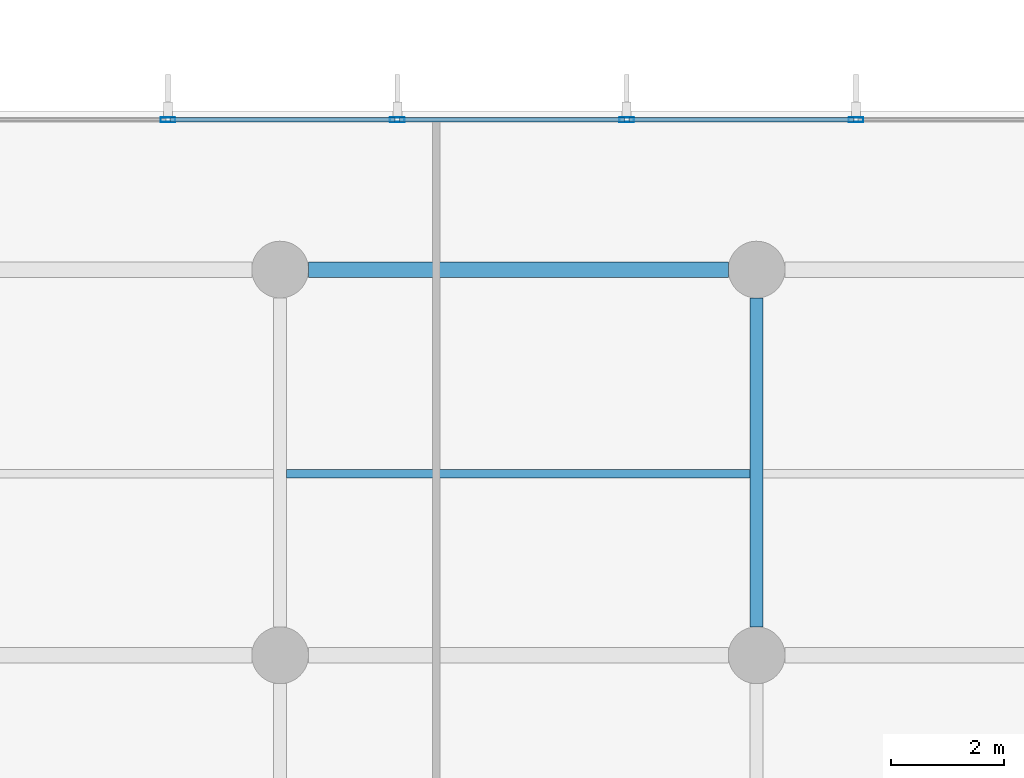
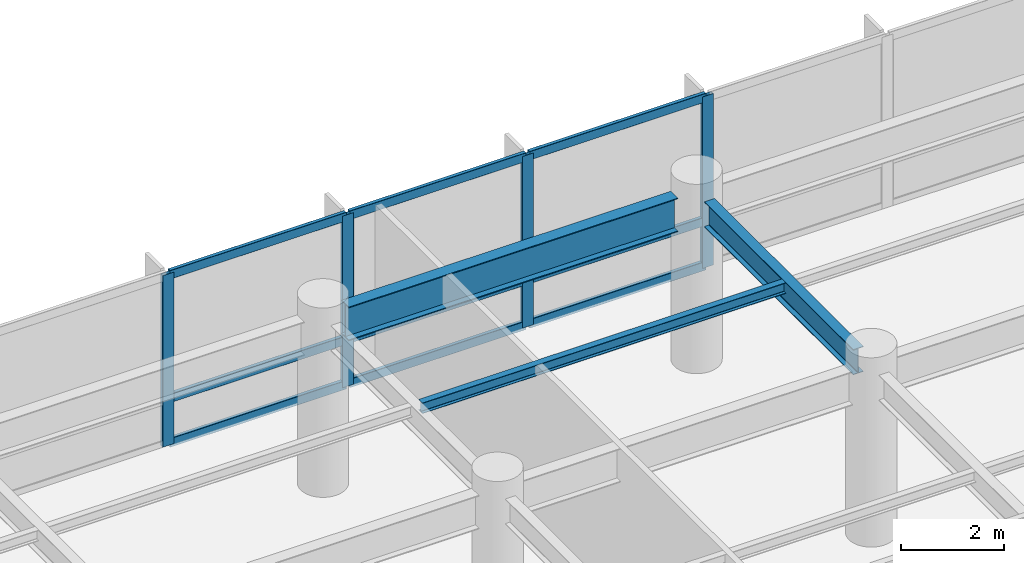
# One storey, part 11 of 23: 13 members, 3 beams, 1 element without a shape of its own.
"""IFC4 building model written with IfcOpenShell, lengths in metres."""

from ifc_helpers import new_model, si_unit, direction, frame, origin, origin_2d, place, context, subcontext, project, spatial, hollow_rectangle, i_section, extrude, material, layer, layer_set, material_profile, profile_set, type_object, element, aggregate, save


model = new_model("IFC4")

# Units and contexts
model_context = context("Model", 3, precision=1e-05, world=origin(), true_north=direction((0.0, 1.0)))
body_context = subcontext(model_context, "Body", "Model", "MODEL_VIEW")
ifc_project = project(units=[si_unit("LENGTHUNIT", "METRE"), si_unit("AREAUNIT", "SQUARE_METRE"), si_unit("VOLUMEUNIT", "CUBIC_METRE"), si_unit("PLANEANGLEUNIT", "RADIAN"), si_unit("MASSUNIT", "GRAM", prefix="KILO")], contexts=[model_context])

# Site, building, storey
site_placement = place(None, origin())
site = spatial("IfcSite", under=ifc_project, at=site_placement, CompositionType="ELEMENT")
building_placement = place(site_placement, origin())
building = spatial("IfcBuilding", under=site, at=building_placement, Name="Varnakote Quay Hospital", CompositionType="ELEMENT")
storey_placement = place(building_placement, frame((0.0, 0.0, 18.0)))
storey = spatial("IfcBuildingStorey", under=building, at=storey_placement, Name="L04", CompositionType="ELEMENT", Elevation=18.0)

# Beams
ifc_material_1 = material(Name="Structural steel AS/NZS 3679.1 Grade 350 L0 (fy 340 MPa)", Category="steel")
ifc_material_profile_1 = material_profile(ifc_material_1, i_section(OverallWidth=0.22802734375, OverallDepth=0.60205078125, WebThickness=0.010498046875, FlangeThickness=0.014892578125, FilletRadius=0.013916015625, at=origin_2d()), Name="610UB101")
ifc_profile_set_1 = profile_set([ifc_material_profile_1], Name="Structural steel AS/NZS 3679.1 Grade 350 L0 (fy 340 MPa)")
beam_type_1 = type_object("IfcBeamType", Name="BM-STL-610UB101", PredefinedType="BEAM", material=ifc_profile_set_1)
beam_1_placement = place(storey_placement, frame((75.60009765625, 37.699951171875, 3.779052734375), z_axis=(0.0, 1.0, 0.0), x_axis=(-1.0, 0.0, 0.0)))
element("IfcBeam", 1, at=beam_1_placement, inside=storey, type_object=beam_type_1, Name="L04 Primary Tie Beam", PredefinedType="BEAM", context=body_context, shape_type="SweptSolid", body=[
    extrude(i_section(OverallWidth=0.22802734375, OverallDepth=0.60205078125, WebThickness=0.010498046875, FlangeThickness=0.014892578125, FilletRadius=0.013916015625, at=origin_2d()), origin(), (0.0, 0.0, 1.0), 5.800048828125),
])
ifc_material_2 = material(Name="Structural steel AS/NZS 3678 Grade 350 (fy 340 MPa)", Category="steel")
ifc_material_profile_2 = material_profile(ifc_material_2, i_section(OverallWidth=0.27490234375, OverallDepth=0.800048828125, WebThickness=0.010009765625, FlangeThickness=0.02001953125, at=origin_2d()), Name="800WB146")
ifc_profile_set_2 = profile_set([ifc_material_profile_2], Name="Structural steel AS/NZS 3678 Grade 350 (fy 340 MPa)")
beam_type_2 = type_object("IfcBeamType", Name="BM-STL-800WB146", PredefinedType="BEAM", material=ifc_profile_set_2)
beam_2_placement = place(storey_placement, frame((67.699951171875, 44.0, 3.679931640625), z_axis=(1.0, 0.0, 0.0), x_axis=(0.0, 1.0, 0.0)))
element("IfcBeam", 2, at=beam_2_placement, inside=storey, type_object=beam_type_2, Name="L04 Plated Composite Transfer Beam", PredefinedType="BEAM", context=body_context, shape_type="SweptSolid", body=[
    extrude(i_section(OverallWidth=0.27490234375, OverallDepth=0.800048828125, WebThickness=0.010009765625, FlangeThickness=0.02001953125, at=origin_2d()), origin(), (0.0, 0.0, 1.0), 7.400146484375),
])

# Curtain wall, members
ifc_material_3 = material(Name="Anodised aluminium 6063-T6 Bronze", Category="aluminium")
ifc_layer = layer(ifc_material_3, 0.175048828125)
ifc_layer_set = layer_set([ifc_layer], Name="Anodised aluminium 6063-T6 Bronze")
curtain_wall_type = type_object("IfcCurtainWallType", Name="CW-SYS-1", PredefinedType="NOTDEFINED", material=ifc_layer_set)
curtain_wall_placement = place(storey_placement, origin())
curtain_wall = element("IfcCurtainWall", 3, at=curtain_wall_placement, inside=storey, type_object=curtain_wall_type, Name="L04 Unitised Bronze Curtain Wall 2", PredefinedType="NOTDEFINED")
ifc_material_4 = material(Name="Anodised aluminium 6063-T6 Bronze", Category="aluminium")
ifc_material_profile_3 = material_profile(ifc_material_4, hollow_rectangle(XDim=0.0849609375, YDim=0.260009765625, WallThickness=0.0048828125, InnerFilletRadius=0.0048828125, OuterFilletRadius=0.010009765625, at=origin_2d()), Name="CW-MULL-260x85")
ifc_profile_set_3 = profile_set([ifc_material_profile_3], Name="Anodised aluminium 6063-T6 Bronze")
member_type_1 = type_object("IfcMemberType", Name="CW-MULL-260x85", PredefinedType="MULLION", material=ifc_profile_set_3)
member_1_placement = place(storey_placement, frame((77.35302734375, 46.639892578125, 0.0), z_axis=(0.0, 0.0, 1.0), x_axis=(0.0, -1.0, 0.0)))
member_1 = element("IfcMember", 4, at=member_1_placement, type_object=member_type_1, Name="-1-L04-2 mullion 3", PredefinedType="MULLION", context=body_context, shape_type="SweptSolid", body=[
    extrude(hollow_rectangle(XDim=0.0849609375, YDim=0.260009765625, WallThickness=0.0048828125, InnerFilletRadius=0.0048828125, OuterFilletRadius=0.010009765625, at=origin_2d()), origin(), (0.0, 0.0, 1.0), 4.080078125),
])
member_2_placement = place(storey_placement, frame((73.3095703125, 46.639892578125, 0.0), z_axis=(0.0, 0.0, 1.0), x_axis=(0.0, -1.0, 0.0)))
member_2 = element("IfcMember", 5, at=member_2_placement, type_object=member_type_1, Name="-1-L04-2 mullion 4", PredefinedType="MULLION", context=body_context, shape_type="SweptSolid", body=[
    extrude(hollow_rectangle(XDim=0.0849609375, YDim=0.260009765625, WallThickness=0.0048828125, InnerFilletRadius=0.0048828125, OuterFilletRadius=0.010009765625, at=origin_2d()), origin(), (0.0, 0.0, 1.0), 4.080078125),
])
member_3_placement = place(storey_placement, frame((69.265869140625, 46.639892578125, 0.0), z_axis=(0.0, 0.0, 1.0), x_axis=(0.0, -1.0, 0.0)))
member_3 = element("IfcMember", 6, at=member_3_placement, type_object=member_type_1, Name="-1-L04-2 mullion 5", PredefinedType="MULLION", context=body_context, shape_type="SweptSolid", body=[
    extrude(hollow_rectangle(XDim=0.0849609375, YDim=0.260009765625, WallThickness=0.0048828125, InnerFilletRadius=0.0048828125, OuterFilletRadius=0.010009765625, at=origin_2d()), origin(), (0.0, 0.0, 1.0), 4.080078125),
])
member_4_placement = place(storey_placement, frame((65.222412109375, 46.639892578125, 0.0), z_axis=(0.0, 0.0, 1.0), x_axis=(0.0, -1.0, 0.0)))
member_4 = element("IfcMember", 7, at=member_4_placement, type_object=member_type_1, Name="-1-L04-2 mullion 6", PredefinedType="MULLION", context=body_context, shape_type="SweptSolid", body=[
    extrude(hollow_rectangle(XDim=0.0849609375, YDim=0.260009765625, WallThickness=0.0048828125, InnerFilletRadius=0.0048828125, OuterFilletRadius=0.010009765625, at=origin_2d()), origin(), (0.0, 0.0, 1.0), 4.080078125),
])
ifc_material_5 = material(Name="Anodised aluminium 6063-T6 Bronze", Category="aluminium")
ifc_material_profile_4 = material_profile(ifc_material_5, hollow_rectangle(XDim=0.0849609375, YDim=0.2099609375, WallThickness=0.00439453125, InnerFilletRadius=0.00439453125, OuterFilletRadius=0.009033203125, at=origin_2d()), Name="CW-TRAN-210x85")
ifc_profile_set_4 = profile_set([ifc_material_profile_4], Name="Anodised aluminium 6063-T6 Bronze")
member_type_2 = type_object("IfcMemberType", Name="CW-TRAN-210x85", PredefinedType="USERDEFINED", material=ifc_profile_set_4)
member_5_placement = place(storey_placement, frame((77.310546875, 46.639892578125, 0.04248046875), z_axis=(-1.0, 0.0, 0.0), x_axis=(0.0, -1.0, 0.0)))
member_5 = element("IfcMember", 8, at=member_5_placement, type_object=member_type_2, Name="-1-L04-2 transom 3.1", ObjectType="TRANSOM", PredefinedType="USERDEFINED", context=body_context, shape_type="SweptSolid", body=[
    extrude(hollow_rectangle(XDim=0.0849609375, YDim=0.2099609375, WallThickness=0.00439453125, InnerFilletRadius=0.00439453125, OuterFilletRadius=0.009033203125, at=origin_2d()), origin(), (0.0, 0.0, 1.0), 3.95849609375),
])
member_6_placement = place(storey_placement, frame((77.310546875, 46.639892578125, 1.10009765625), z_axis=(-1.0, 0.0, 0.0), x_axis=(0.0, -1.0, 0.0)))
member_6 = element("IfcMember", 9, at=member_6_placement, type_object=member_type_2, Name="-1-L04-2 transom 3.2", ObjectType="TRANSOM", PredefinedType="USERDEFINED", context=body_context, shape_type="SweptSolid", body=[
    extrude(hollow_rectangle(XDim=0.0849609375, YDim=0.2099609375, WallThickness=0.00439453125, InnerFilletRadius=0.00439453125, OuterFilletRadius=0.009033203125, at=origin_2d()), origin(), (0.0, 0.0, 1.0), 3.95849609375),
])
member_7_placement = place(storey_placement, frame((77.310546875, 46.639892578125, 4.03759765625), z_axis=(-1.0, 0.0, 0.0), x_axis=(0.0, -1.0, 0.0)))
member_7 = element("IfcMember", 10, at=member_7_placement, type_object=member_type_2, Name="-1-L04-2 transom 3.3", ObjectType="TRANSOM", PredefinedType="USERDEFINED", context=body_context, shape_type="SweptSolid", body=[
    extrude(hollow_rectangle(XDim=0.0849609375, YDim=0.2099609375, WallThickness=0.00439453125, InnerFilletRadius=0.00439453125, OuterFilletRadius=0.009033203125, at=origin_2d()), origin(), (0.0, 0.0, 1.0), 3.95849609375),
])
member_8_placement = place(storey_placement, frame((73.266845703125, 46.639892578125, 0.04248046875), z_axis=(-1.0, 0.0, 0.0), x_axis=(0.0, -1.0, 0.0)))
member_8 = element("IfcMember", 11, at=member_8_placement, type_object=member_type_2, Name="-1-L04-2 transom 4.1", ObjectType="TRANSOM", PredefinedType="USERDEFINED", context=body_context, shape_type="SweptSolid", body=[
    extrude(hollow_rectangle(XDim=0.0849609375, YDim=0.2099609375, WallThickness=0.00439453125, InnerFilletRadius=0.00439453125, OuterFilletRadius=0.009033203125, at=origin_2d()), origin(), (0.0, 0.0, 1.0), 3.95849609375),
])
member_9_placement = place(storey_placement, frame((73.266845703125, 46.639892578125, 1.10009765625), z_axis=(-1.0, 0.0, 0.0), x_axis=(0.0, -1.0, 0.0)))
member_9 = element("IfcMember", 12, at=member_9_placement, type_object=member_type_2, Name="-1-L04-2 transom 4.2", ObjectType="TRANSOM", PredefinedType="USERDEFINED", context=body_context, shape_type="SweptSolid", body=[
    extrude(hollow_rectangle(XDim=0.0849609375, YDim=0.2099609375, WallThickness=0.00439453125, InnerFilletRadius=0.00439453125, OuterFilletRadius=0.009033203125, at=origin_2d()), origin(), (0.0, 0.0, 1.0), 3.95849609375),
])
member_10_placement = place(storey_placement, frame((73.266845703125, 46.639892578125, 4.03759765625), z_axis=(-1.0, 0.0, 0.0), x_axis=(0.0, -1.0, 0.0)))
member_10 = element("IfcMember", 13, at=member_10_placement, type_object=member_type_2, Name="-1-L04-2 transom 4.3", ObjectType="TRANSOM", PredefinedType="USERDEFINED", context=body_context, shape_type="SweptSolid", body=[
    extrude(hollow_rectangle(XDim=0.0849609375, YDim=0.2099609375, WallThickness=0.00439453125, InnerFilletRadius=0.00439453125, OuterFilletRadius=0.009033203125, at=origin_2d()), origin(), (0.0, 0.0, 1.0), 3.95849609375),
])
member_11_placement = place(storey_placement, frame((69.223388671875, 46.639892578125, 0.04248046875), z_axis=(-1.0, 0.0, 0.0), x_axis=(0.0, -1.0, 0.0)))
member_11 = element("IfcMember", 14, at=member_11_placement, type_object=member_type_2, Name="-1-L04-2 transom 5.1", ObjectType="TRANSOM", PredefinedType="USERDEFINED", context=body_context, shape_type="SweptSolid", body=[
    extrude(hollow_rectangle(XDim=0.0849609375, YDim=0.2099609375, WallThickness=0.00439453125, InnerFilletRadius=0.00439453125, OuterFilletRadius=0.009033203125, at=origin_2d()), origin(), (0.0, 0.0, 1.0), 3.95849609375),
])
member_12_placement = place(storey_placement, frame((69.223388671875, 46.639892578125, 1.10009765625), z_axis=(-1.0, 0.0, 0.0), x_axis=(0.0, -1.0, 0.0)))
member_12 = element("IfcMember", 15, at=member_12_placement, type_object=member_type_2, Name="-1-L04-2 transom 5.2", ObjectType="TRANSOM", PredefinedType="USERDEFINED", context=body_context, shape_type="SweptSolid", body=[
    extrude(hollow_rectangle(XDim=0.0849609375, YDim=0.2099609375, WallThickness=0.00439453125, InnerFilletRadius=0.00439453125, OuterFilletRadius=0.009033203125, at=origin_2d()), origin(), (0.0, 0.0, 1.0), 3.95849609375),
])
member_13_placement = place(storey_placement, frame((69.223388671875, 46.639892578125, 4.03759765625), z_axis=(-1.0, 0.0, 0.0), x_axis=(0.0, -1.0, 0.0)))
member_13 = element("IfcMember", 16, at=member_13_placement, type_object=member_type_2, Name="-1-L04-2 transom 5.3", ObjectType="TRANSOM", PredefinedType="USERDEFINED", context=body_context, shape_type="SweptSolid", body=[
    extrude(hollow_rectangle(XDim=0.0849609375, YDim=0.2099609375, WallThickness=0.00439453125, InnerFilletRadius=0.00439453125, OuterFilletRadius=0.009033203125, at=origin_2d()), origin(), (0.0, 0.0, 1.0), 3.95849609375),
])
aggregate(curtain_wall, [member_1, member_2, member_3, member_4, member_5, member_6, member_7, member_8, member_9, member_10, member_11, member_12, member_13])

# Beam
ifc_material_6 = material(Name="Structural steel AS/NZS 3679.1 Grade 350 L0 (fy 340 MPa)", Category="steel")
ifc_material_profile_5 = material_profile(ifc_material_6, i_section(OverallWidth=0.14599609375, OverallDepth=0.256103515625, WebThickness=0.00634765625, FlangeThickness=0.010986328125, FilletRadius=0.0087890625, at=origin_2d()), Name="250UB37.3")
ifc_profile_set_5 = profile_set([ifc_material_profile_5], Name="Structural steel AS/NZS 3679.1 Grade 350 L0 (fy 340 MPa)")
beam_type_3 = type_object("IfcBeamType", Name="JST-STL-250UB37-3", PredefinedType="JOIST", material=ifc_profile_set_5)
beam_3_placement = place(storey_placement, frame((67.31396484375, 40.39990234375, 3.951904296875), z_axis=(1.0, 0.0, 0.0), x_axis=(0.0, 1.0, 0.0)))
element("IfcBeam", 17, at=beam_3_placement, inside=storey, type_object=beam_type_3, Name="L04 Composite Floor Joist", PredefinedType="JOIST", context=body_context, shape_type="SweptSolid", body=[
    extrude(i_section(OverallWidth=0.14599609375, OverallDepth=0.256103515625, WebThickness=0.00634765625, FlangeThickness=0.010986328125, FilletRadius=0.0087890625, at=origin_2d()), origin(), (0.0, 0.0, 1.0), 8.172119140625),
])

save(model, "model.ifc")
